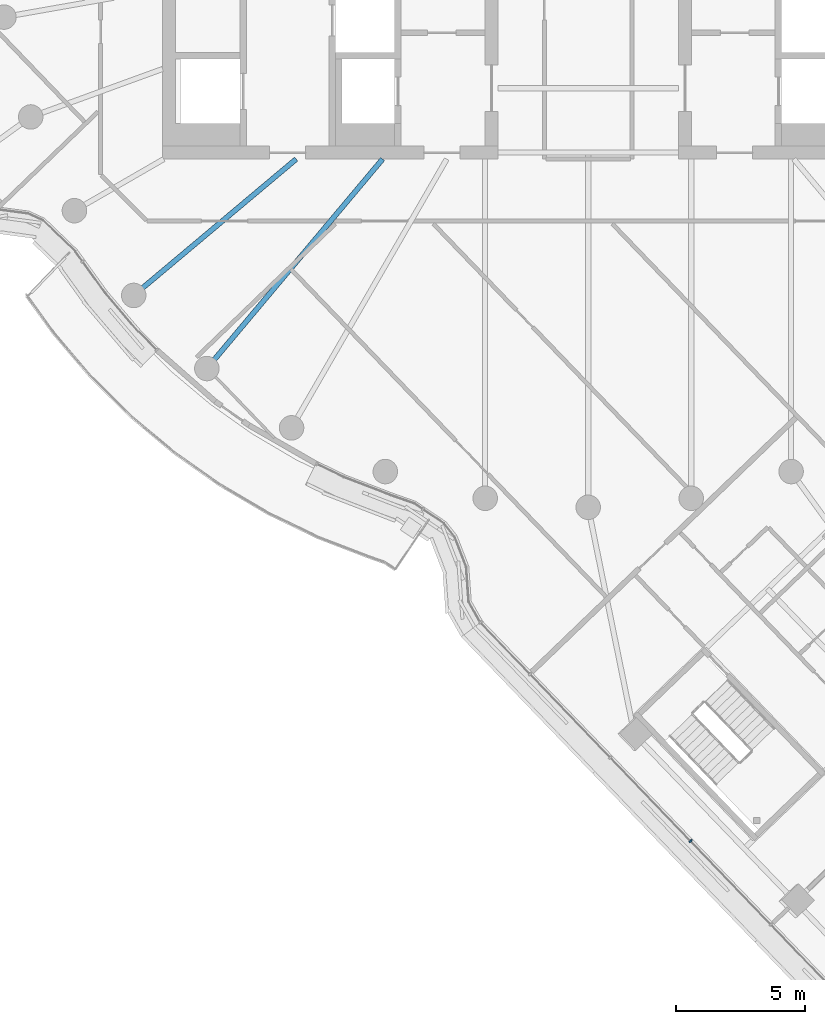
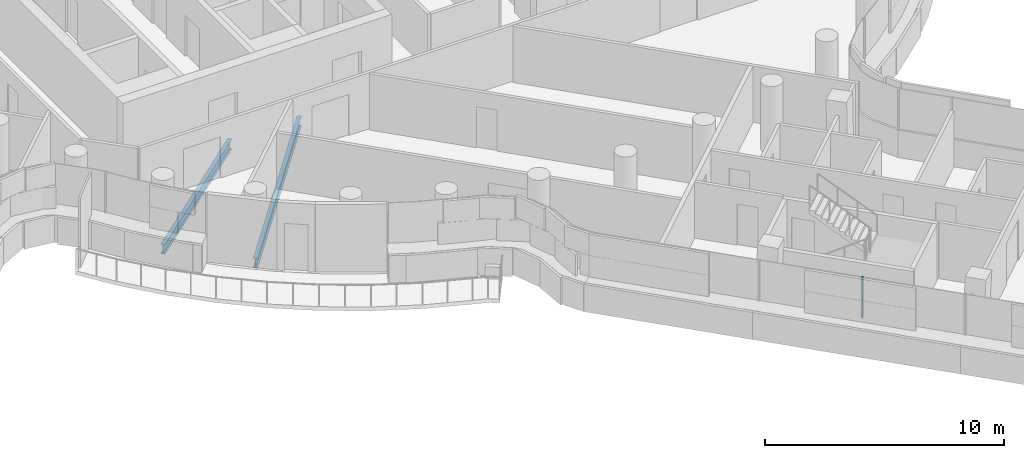
# One storey, part 4 of 34: 2 beams, 1 member, 1 element without a shape of its own.
"""IFC4 building model written with IfcOpenShell, lengths in metres."""

from ifc_helpers import new_model, si_unit, direction, frame, origin, origin_2d, place, context, subcontext, project, spatial, rectangle, i_section, extrude, material, layer, layer_set, material_profile, profile_set, type_object, element, aggregate, save


model = new_model("IFC4")

# Units and contexts
model_context = context("Model", 3, precision=1e-05, world=origin(), true_north=direction((0.0, 1.0)))
body_context = subcontext(model_context, "Body", "Model", "MODEL_VIEW")
ifc_project = project(units=[si_unit("LENGTHUNIT", "METRE"), si_unit("AREAUNIT", "SQUARE_METRE"), si_unit("VOLUMEUNIT", "CUBIC_METRE"), si_unit("PLANEANGLEUNIT", "RADIAN"), si_unit("MASSUNIT", "GRAM", prefix="KILO")], contexts=[model_context])

# Site, building, storey
site_placement = place(None, origin())
site = spatial("IfcSite", under=ifc_project, at=site_placement, CompositionType="ELEMENT")
building_placement = place(site_placement, origin())
building = spatial("IfcBuilding", under=site, at=building_placement, Name="Tamarind Cross Interchange Tower", CompositionType="ELEMENT")
storey_placement = place(building_placement, frame((0.0, 0.0, 193.300048828125)))
storey = spatial("IfcBuildingStorey", under=building, at=storey_placement, Name="L48", CompositionType="ELEMENT", Elevation=193.300048828125)

# Beams
ifc_material_1 = material(Name="Steel Q355B", Category="steel")
ifc_material_profile_1 = material_profile(ifc_material_1, i_section(OverallWidth=0.198974609375, OverallDepth=0.49609375, WebThickness=0.009033203125, FlangeThickness=0.013916015625, FilletRadius=0.012939453125, at=origin_2d()), Name="HN 496x199x9x14")
ifc_profile_set_1 = profile_set([ifc_material_profile_1], Name="Steel Q355B")
beam_type = type_object("IfcBeamType", Name="Composite beam HN 496x199x9x14 Q355B", PredefinedType="BEAM", material=ifc_profile_set_1)
beam_1_placement = place(storey_placement, frame((-17.619140625, -14.7841796875, -0.387939453125), z_axis=(0.766040580814, 0.642792212574, 0.0), x_axis=(-0.642792212574, 0.766040580814, 0.0)))
element("IfcBeam", 1, at=beam_1_placement, inside=storey, type_object=beam_type, Name="Beam HH22", PredefinedType="BEAM", context=body_context, shape_type="SweptSolid", body=[
    extrude(i_section(OverallWidth=0.198974609375, OverallDepth=0.49609375, WebThickness=0.009033203125, FlangeThickness=0.013916015625, FilletRadius=0.012939453125, at=origin_2d()), origin(), (0.0, 0.0, 1.0), 8.220703125),
])
beam_2_placement = place(storey_placement, frame((-14.7841796875, -17.619140625, -0.387939453125), z_axis=(0.642786293979, 0.766045547127, 0.0), x_axis=(-0.766045547127, 0.642786293979, 0.0)))
element("IfcBeam", 2, at=beam_2_placement, inside=storey, type_object=beam_type, Name="Beam HH23", PredefinedType="BEAM", context=body_context, shape_type="SweptSolid", body=[
    extrude(i_section(OverallWidth=0.198974609375, OverallDepth=0.49609375, WebThickness=0.009033203125, FlangeThickness=0.013916015625, FilletRadius=0.012939453125, at=origin_2d()), origin(), (0.0, 0.0, 1.0), 10.598876953125),
])

# Curtain wall, member
ifc_material_2 = material(Name="Aluminium 6063-T6", Category="aluminium")
ifc_layer = layer(ifc_material_2, 0.139892578125)
ifc_layer_set = layer_set([ifc_layer], Name="Aluminium 6063-T6")
curtain_wall_type = type_object("IfcCurtainWallType", Name="Hotel curtain wall, 4.5 m bays", PredefinedType="NOTDEFINED", material=ifc_layer_set)
curtain_wall_placement = place(storey_placement, origin())
curtain_wall = element("IfcCurtainWall", 3, at=curtain_wall_placement, inside=storey, type_object=curtain_wall_type, Name="CWS-L48-03", PredefinedType="NOTDEFINED")
ifc_material_profile_2 = material_profile(ifc_material_2, rectangle(XDim=0.06005859375, YDim=0.139892578125, at=origin_2d()), Name="Mullion CW2")
ifc_profile_set_2 = profile_set([ifc_material_profile_2], Name="Aluminium 6063-T6")
member_type = type_object("IfcMemberType", Name="Mullion CW2", PredefinedType="MULLION", material=ifc_profile_set_2)
member_placement = place(storey_placement, frame((3.968994140625, -35.93701171875, 1.39990234375), z_axis=(0.0, 0.0, 1.0), x_axis=(0.69317039432, -0.720773753988, 0.0)))
member = element("IfcMember", 4, at=member_placement, type_object=member_type, Name="CWM-L48-03-03", PredefinedType="MULLION", context=body_context, shape_type="SweptSolid", body=[
    extrude(rectangle(XDim=0.06005859375, YDim=0.139892578125, at=origin_2d()), origin(), (0.0, 0.0, 1.0), 2.06005859375),
])
aggregate(curtain_wall, [member])

save(model, "model.ifc")
